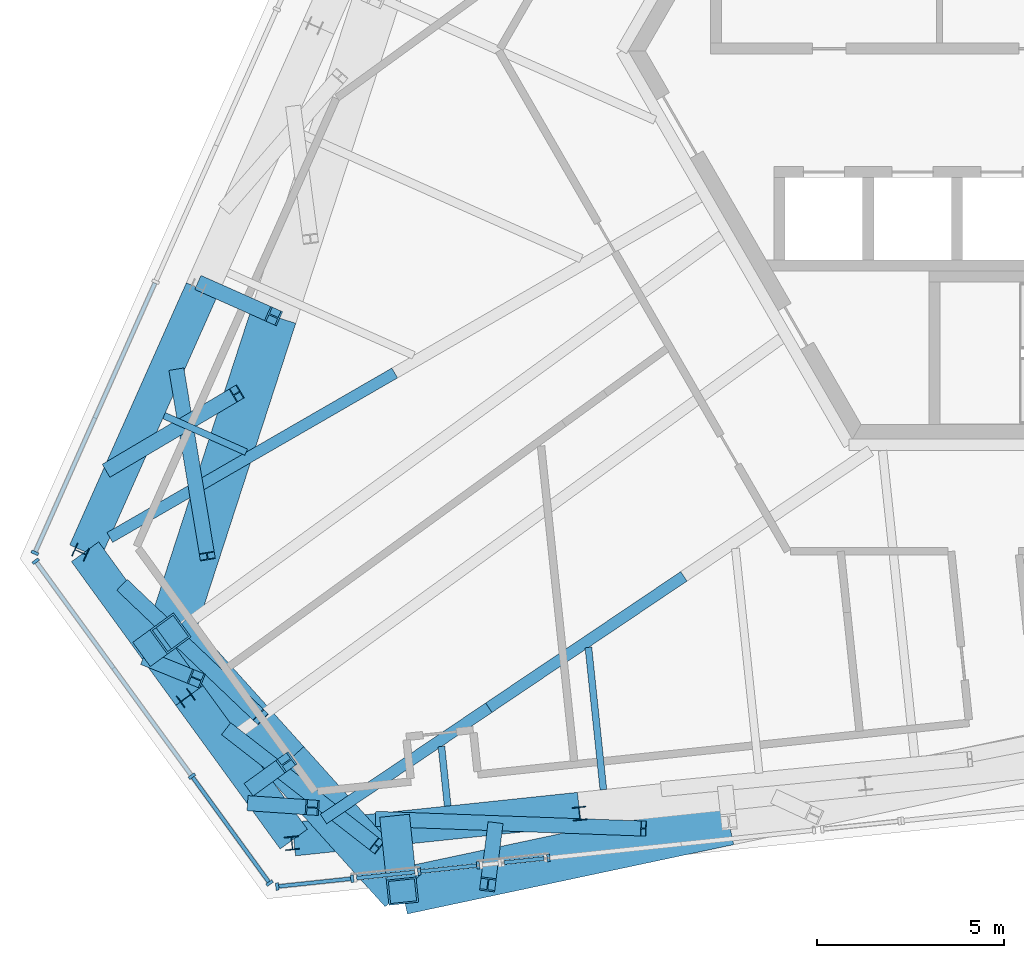
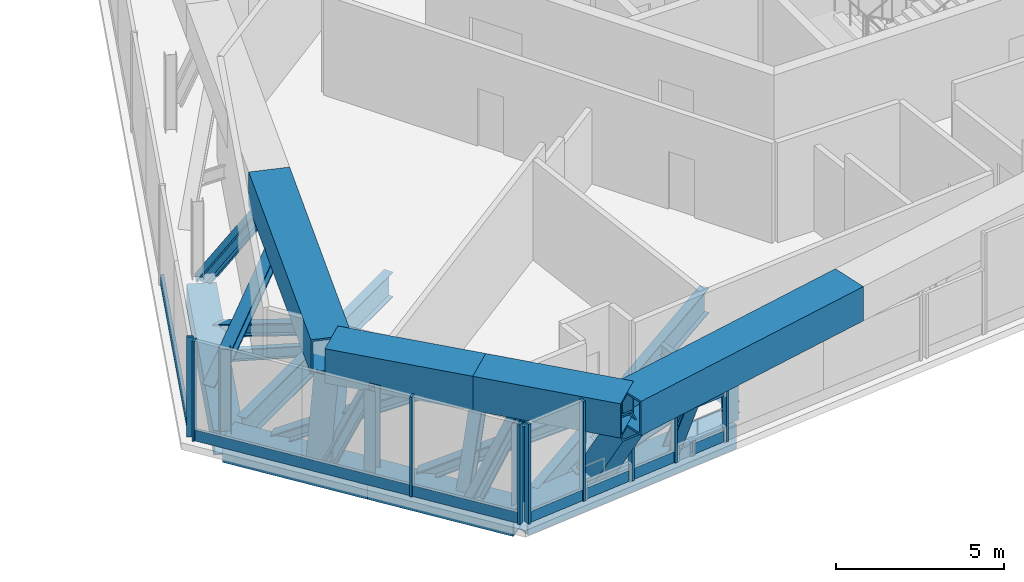
# One storey, part 1 of 23: 41 members, 6 beams, 8 elements without a shape of their own.
"""IFC4 building model written with IfcOpenShell, lengths in metres."""

from ifc_helpers import new_model, si_unit, direction, frame, origin, origin_2d, place, context, subcontext, project, spatial, rectangle, hollow_rectangle, i_section, extrude, source, transform, mapped, material, material_profile, profile_set, type_object, element, aggregate, save


model = new_model("IFC4")

# Units and contexts
model_context = context("Model", 3, precision=1e-05, world=origin(), true_north=direction((0.0, 1.0)))
body_context = subcontext(model_context, "Body", "Model", "MODEL_VIEW")
ifc_project = project(units=[si_unit("LENGTHUNIT", "METRE"), si_unit("AREAUNIT", "SQUARE_METRE"), si_unit("VOLUMEUNIT", "CUBIC_METRE"), si_unit("PLANEANGLEUNIT", "RADIAN"), si_unit("MASSUNIT", "GRAM", prefix="KILO")], contexts=[model_context])

# Site, building, storey
site_placement = place(None, origin())
site = spatial("IfcSite", under=ifc_project, at=site_placement, CompositionType="ELEMENT")
building_placement = place(site_placement, origin())
building = spatial("IfcBuilding", under=site, at=building_placement, Name="Triune Harvest Tower", CompositionType="ELEMENT")
storey_placement = place(building_placement, frame((0.0, 0.0, 255.699951171875)))
storey = spatial("IfcBuildingStorey", under=building, at=storey_placement, Name="L67", CompositionType="ELEMENT", Elevation=255.699951171875)

# Beams
ifc_material_1 = material(Name="Steel ASTM A992 Gr 50", Category="steel")
ifc_material_profile_1 = material_profile(ifc_material_1, i_section(OverallWidth=0.3046875, OverallDepth=0.914306640625, WebThickness=0.0166015625, FlangeThickness=0.02587890625, at=origin_2d()), Name="W36x160")
ifc_profile_set_1 = profile_set([ifc_material_profile_1], Name="Steel ASTM A992 Gr 50")
beam_type_1 = type_object("IfcBeamType", Name="HG-3 Hip girder W36x160", PredefinedType="BEAM", material=ifc_profile_set_1)
beam_1_placement = place(storey_placement, frame((-25.87109375, -13.02197265625, -0.70703125), z_axis=(0.86602254736, 0.50000494744, 0.0), x_axis=(-0.50000494744, 0.86602254736, 0.0)))
element("IfcBeam", 1, at=beam_1_placement, inside=storey, type_object=beam_type_1, Name="beam/L67/HG5", PredefinedType="BEAM", context=body_context, shape_type="SweptSolid", body=[
    extrude(i_section(OverallWidth=0.3046875, OverallDepth=0.914306640625, WebThickness=0.0166015625, FlangeThickness=0.02587890625, at=origin_2d()), origin(), (0.0, 0.0, 1.0), 8.802734375),
])
beam_2_placement = place(storey_placement, frame((-20.15234375, -20.55712890625, -0.70703125), z_axis=(0.829386291696, 0.558675558036, 0.0), x_axis=(-0.558675558036, 0.829386291696, 0.0)))
element("IfcBeam", 2, at=beam_2_placement, inside=storey, type_object=beam_type_1, Name="beam/L67/HG7", PredefinedType="BEAM", context=body_context, shape_type="SweptSolid", body=[
    extrude(i_section(OverallWidth=0.3046875, OverallDepth=0.914306640625, WebThickness=0.0166015625, FlangeThickness=0.02587890625, at=origin_2d()), origin(), (0.0, 0.0, 1.0), 5.33447265625),
])
ifc_material_2 = material(Name="Steel ASTM A992 Gr 50", Category="steel")
ifc_material_profile_2 = material_profile(ifc_material_2, i_section(OverallWidth=0.180908203125, OverallDepth=0.41650390625, WebThickness=0.010986328125, FlangeThickness=0.01806640625, at=origin_2d()), Name="W16x57")
ifc_profile_set_2 = profile_set([ifc_material_profile_2], Name="Steel ASTM A992 Gr 50")
beam_type_2 = type_object("IfcBeamType", Name="JT-1 Floor joist W16x57", PredefinedType="JOIST", material=ifc_profile_set_2)
beam_3_placement = place(storey_placement, frame((-24.41943359375, -9.76123046875, -0.458251953125), z_axis=(0.913568577224, -0.406684711674, 0.0), x_axis=(0.406684711674, 0.913568577224, 0.0)))
element("IfcBeam", 3, at=beam_3_placement, inside=storey, type_object=beam_type_2, Name="beam/L67/JT22", PredefinedType="JOIST", context=body_context, shape_type="SweptSolid", body=[
    extrude(i_section(OverallWidth=0.180908203125, OverallDepth=0.41650390625, WebThickness=0.010986328125, FlangeThickness=0.01806640625, at=origin_2d()), origin(), (0.0, 0.0, 1.0), 2.40478515625),
])
beam_4_placement = place(storey_placement, frame((-16.829345703125, -20.207763671875, -0.458251953125), z_axis=(-0.104589546941, 0.994515473319, 0.0), x_axis=(-0.994515473319, -0.104589546941, 0.0)))
element("IfcBeam", 4, at=beam_4_placement, inside=storey, type_object=beam_type_2, Name="beam/L67/JT25", PredefinedType="JOIST", context=body_context, shape_type="SweptSolid", body=[
    extrude(i_section(OverallWidth=0.180908203125, OverallDepth=0.41650390625, WebThickness=0.010986328125, FlangeThickness=0.01806640625, at=origin_2d()), origin(), (0.0, 0.0, 1.0), 1.601318359375),
])

# Members
ifc_material_3 = material(Name="Steel ASTM A992 Gr 50", Category="steel")
ifc_material_profile_3 = material_profile(ifc_material_3, i_section(OverallWidth=0.40380859375, OverallDepth=0.406494140625, WebThickness=0.027099609375, FlangeThickness=0.043701171875, at=origin_2d()), Name="W14x233")
ifc_profile_set_3 = profile_set([ifc_material_profile_3], Name="Steel ASTM A992 Gr 50")
member_type_1 = type_object("IfcMemberType", Name="TD-3 Belt truss diagonal W14x233", PredefinedType="BRACE", material=ifc_profile_set_3)
member_1_placement = place(storey_placement, frame((-24.07373046875, -8.615966796875, -0.324951171875), z_axis=(0.142755149801, -0.863320577817, 0.484043951644), x_axis=(0.986602830653, 0.163140597483, 0.0)))
element("IfcMember", 5, at=member_1_placement, inside=storey, type_object=member_type_1, Name="truss/L67/TD23", PredefinedType="BRACE", context=body_context, shape_type="SweptSolid", body=[
    extrude(i_section(OverallWidth=0.40380859375, OverallDepth=0.406494140625, WebThickness=0.027099609375, FlangeThickness=0.043701171875, at=origin_2d()), origin(), (0.0, 0.0, 1.0), 5.681396484375),
])
member_2_placement = place(storey_placement, frame((-25.473388671875, -14.3544921875, -0.324951171875), z_axis=(0.634971008169, -0.605634521572, 0.479602590761), x_axis=(0.690192948366, 0.723625382381, 0.0)))
element("IfcMember", 6, at=member_2_placement, inside=storey, type_object=member_type_1, Name="truss/L67/TD25", PredefinedType="BRACE", context=body_context, shape_type="SweptSolid", body=[
    extrude(i_section(OverallWidth=0.40380859375, OverallDepth=0.406494140625, WebThickness=0.027099609375, FlangeThickness=0.043701171875, at=origin_2d()), origin(), (0.0, 0.0, 1.0), 5.73388671875),
])
member_3_placement = place(storey_placement, frame((-22.680419921875, -18.19873046875, -0.324951171875), z_axis=(0.69172611158, -0.538426958501, 0.48126021747), x_axis=(0.614237516902, 0.789121202877, 0.0)))
element("IfcMember", 7, at=member_3_placement, inside=storey, type_object=member_type_1, Name="truss/L67/TD27", PredefinedType="BRACE", context=body_context, shape_type="SweptSolid", body=[
    extrude(i_section(OverallWidth=0.40380859375, OverallDepth=0.406494140625, WebThickness=0.027099609375, FlangeThickness=0.043701171875, at=origin_2d()), origin(), (0.0, 0.0, 1.0), 5.714111328125),
])
member_4_placement = place(storey_placement, frame((-18.688232421875, -20.553955078125, -0.324951171875), z_axis=(0.931918812377, -0.033692695969, 0.361098503702), x_axis=(0.036130505031, 0.999347080151, 0.0)))
element("IfcMember", 8, at=member_4_placement, inside=storey, type_object=member_type_1, Name="truss/L67/TD29", PredefinedType="BRACE", context=body_context, shape_type="SweptSolid", body=[
    extrude(i_section(OverallWidth=0.40380859375, OverallDepth=0.406494140625, WebThickness=0.027099609375, FlangeThickness=0.043701171875, at=origin_2d()), origin(), (0.0, 0.0, 1.0), 7.61572265625),
])

# Curtain wall, member
ifc_material_4 = material(Name="Aluminium bronze anodised", Category="aluminium")
curtain_wall_type = type_object("IfcCurtainWallType", Name="CW-5 Plant louvre wall", PredefinedType="NOTDEFINED", material=ifc_material_4)
curtain_wall_1_placement = place(storey_placement, origin())
curtain_wall_1 = element("IfcCurtainWall", 9, at=curtain_wall_1_placement, inside=storey, type_object=curtain_wall_type, Name="CW-5 B6-F5 L67 run 201")
ifc_material_5 = material(Name="Aluminium bronze anodised", Category="aluminium")
ifc_material_profile_4 = material_profile(ifc_material_5, rectangle(XDim=0.10009765625, YDim=0.39990234375, at=origin_2d()), Name="TR-5 transom 100 x 400")
ifc_profile_set_4 = profile_set([ifc_material_profile_4], Name="Aluminium bronze anodised")
member_type_2 = type_object("IfcMemberType", Name="TR-5 transom 100 x 400", PredefinedType="USERDEFINED", material=ifc_profile_set_4)
member_5_placement = place(storey_placement, frame((-17.551513671875, -21.95849609375, 0.199951171875), z_axis=(0.994514349203, 0.104600235324, 0.0), x_axis=(-0.104600235324, 0.994514349203, 0.0)))
member_5 = element("IfcMember", 10, at=member_5_placement, type_object=member_type_2, Name="CW-5 transom B6-F5 201.1", ObjectType="TRANSOM", PredefinedType="USERDEFINED", context=body_context, shape_type="SweptSolid", body=[
    extrude(rectangle(XDim=0.10009765625, YDim=0.39990234375, at=origin_2d()), origin(), (0.0, 0.0, 1.0), 1.503173828125),
])

# Member
ifc_material_6 = material(Name="Steel ASTM A992 Gr 50", Category="steel")
ifc_material_profile_5 = material_profile(ifc_material_6, i_section(OverallWidth=0.411376953125, OverallDepth=0.434326171875, WebThickness=0.035888671875, FlangeThickness=0.057373046875, at=origin_2d()), Name="W14x311")
ifc_profile_set_5 = profile_set([ifc_material_profile_5], Name="Steel ASTM A992 Gr 50")
member_type_3 = type_object("IfcMemberType", Name="TV-1 Belt truss strut W14x311", PredefinedType="STRUT", material=ifc_profile_set_5)
member_6_placement = place(storey_placement, frame((-21.9931640625, -19.655029296875, -0.27490234375), z_axis=(0.293202399545, 0.212969952185, 0.932027978318), x_axis=(-0.587687609145, 0.809087927272, 0.0)))
element("IfcMember", 11, at=member_6_placement, inside=storey, type_object=member_type_3, Name="truss/L67/TS14", PredefinedType="STRUT", context=body_context, shape_type="SweptSolid", body=[
    extrude(i_section(OverallWidth=0.411376953125, OverallDepth=0.434326171875, WebThickness=0.035888671875, FlangeThickness=0.057373046875, at=origin_2d()), origin(), (0.0, 0.0, 1.0), 2.89697265625),
])

# Beams
shared_shape_1 = source(origin(), body_context, "Body", "SweptSolid", [
    extrude(i_section(OverallWidth=0.3046875, OverallDepth=0.914306640625, WebThickness=0.0166015625, FlangeThickness=0.02587890625, at=origin_2d()), origin(), (0.0, 0.0, 1.0), 6.293701171875),
])
beam_5_placement = place(storey_placement, frame((-15.72802734375, -17.576904296875, -0.70703125), z_axis=(0.829391075311, 0.558668456416, 0.0), x_axis=(-0.558668456416, 0.829391075311, 0.0)))
element("IfcBeam", 12, at=beam_5_placement, inside=storey, type_object=beam_type_1, Name="beam/L67/HG8", PredefinedType="BEAM", context=body_context, shape_type="MappedRepresentation", body=[
    mapped(shared_shape_1, transform((0.0, 0.0, 0.0), scale=1.0)),
])
shared_shape_2 = source(origin(), body_context, "Body", "SweptSolid", [
    extrude(i_section(OverallWidth=0.180908203125, OverallDepth=0.41650390625, WebThickness=0.010986328125, FlangeThickness=0.01806640625, at=origin_2d()), origin(), (0.0, 0.0, 1.0), 3.8251953125),
])
beam_6_placement = place(storey_placement, frame((-12.66357421875, -19.77001953125, -0.458251953125), z_axis=(-0.104545242946, 0.99452013161, 0.0), x_axis=(-0.99452013161, -0.104545242946, 0.0)))
element("IfcBeam", 13, at=beam_6_placement, inside=storey, type_object=beam_type_2, Name="beam/L67/JT26", PredefinedType="JOIST", context=body_context, shape_type="MappedRepresentation", body=[
    mapped(shared_shape_2, transform((0.0, 0.0, 0.0), scale=1.0)),
])

# Members
ifc_material_7 = material(Name="Steel ASTM A992 Gr 50", Category="steel")
ifc_material_profile_6 = material_profile(ifc_material_7, i_section(OverallWidth=0.368408203125, OverallDepth=0.355712890625, WebThickness=0.01123046875, FlangeThickness=0.01806640625, at=origin_2d()), Name="W14x90")
ifc_profile_set_6 = profile_set([ifc_material_profile_6], Name="Steel ASTM A992 Gr 50")
member_type_4 = type_object("IfcMemberType", Name="WP-6 Roof edge post W14x90", PredefinedType="POST", material=ifc_profile_set_6)
shared_shape_3 = source(origin(), body_context, "Body", "SweptSolid", [
    extrude(i_section(OverallWidth=0.368408203125, OverallDepth=0.355712890625, WebThickness=0.01123046875, FlangeThickness=0.01806640625, at=origin_2d()), origin(), (0.0, 0.0, 1.0), 2.9755859375),
])
for number, where, z_axis, x_axis, name in (
    (14, (-26.653564453125, -13.417236328125, -0.25), (0.0, 0.0, 1.0), (-0.406738237513, -0.913544747752, 0.0), "post/L67/W14"),
    (15, (-23.83837890625, -17.319580078125, -0.25), (0.0, 0.0, 1.0), (0.587785252292, -0.809016994375, 0.0), "post/L67/W15"),
    (16, (-20.9970703125, -21.202880859375, -0.25), (0.0, 0.0, 1.0), (0.99452171293, 0.104530199036, 0.0), "post/L67/W16"),
    (17, (-13.29833984375, -20.409912109375, -0.25), (0.0, 0.0, 1.0), (0.99452171293, 0.104530199036, 0.0), "post/L67/W17"),
):
    element("IfcMember", number, at=place(storey_placement, frame(where, z_axis=z_axis, x_axis=x_axis)), inside=storey, type_object=member_type_4, Name=name, PredefinedType="POST", context=body_context, shape_type="MappedRepresentation", body=[
        mapped(shared_shape_3, transform((0.0, 0.0, 0.0), scale=1.0)),
    ])
ifc_material_8 = material(Name="Steel ASTM A572 Gr 50", Category="steel")
ifc_material_profile_7 = material_profile(ifc_material_8, hollow_rectangle(XDim=0.89990234375, YDim=0.89990234375, WallThickness=0.050048828125, at=origin_2d()), Name="Box 900x900x50")
ifc_profile_set_7 = profile_set([ifc_material_profile_7], Name="Steel ASTM A572 Gr 50")
member_type_5 = type_object("IfcMemberType", Name="TC-2 Belt truss chord Box 900x900x50", PredefinedType="CHORD", material=ifc_profile_set_7)
shared_shape_4 = source(origin(), body_context, "Body", "SweptSolid", [
    extrude(hollow_rectangle(XDim=0.89990234375, YDim=0.89990234375, WallThickness=0.050048828125, at=origin_2d()), origin(), (0.0, 0.0, 1.0), 7.679443359375),
])
for number, where, z_axis, x_axis, name in (
    (18, (-23.41064453125, -6.389404296875, -0.699951171875), (-0.406746028315, -0.913541279007, 0.0), (0.913541279007, -0.406746028315, 0.0), "truss/L67/TCB14"),
    (19, (-20.9482421875, -21.09326171875, -0.699951171875), (0.994521815363, 0.104529224464, 0.0), (-0.104529224464, 0.994521815363, 0.0), "truss/L67/TCB17"),
):
    element("IfcMember", number, at=place(storey_placement, frame(where, z_axis=z_axis, x_axis=x_axis)), inside=storey, type_object=member_type_5, Name=name, PredefinedType="CHORD", context=body_context, shape_type="MappedRepresentation", body=[
        mapped(shared_shape_4, transform((0.0, 0.0, 0.0), scale=1.0)),
    ])
shared_shape_5 = source(origin(), body_context, "Body", "SweptSolid", [
    extrude(hollow_rectangle(XDim=0.89990234375, YDim=0.89990234375, WallThickness=0.050048828125, at=origin_2d()), origin(), (0.0, 0.0, 1.0), 4.751708984375),
])
for number, where, z_axis, x_axis, name in (
    (20, (-26.5341796875, -13.40478515625, -0.699951171875), (0.587780589859, -0.809020381811, 0.0), (0.809020381811, 0.587780589859, 0.0), "truss/L67/TCB15"),
    (21, (-23.7412109375, -17.2490234375, -0.699951171875), (0.587780589859, -0.809020381811, 0.0), (0.809020381811, 0.587780589859, 0.0), "truss/L67/TCB16"),
):
    element("IfcMember", number, at=place(storey_placement, frame(where, z_axis=z_axis, x_axis=x_axis)), inside=storey, type_object=member_type_5, Name=name, PredefinedType="CHORD", context=body_context, shape_type="MappedRepresentation", body=[
        mapped(shared_shape_5, transform((0.0, 0.0, 0.0), scale=1.0)),
    ])
ifc_material_9 = material(Name="Steel ASTM A572 Gr 50", Category="steel")
ifc_material_profile_8 = material_profile(ifc_material_9, hollow_rectangle(XDim=1.25, YDim=1.25, WallThickness=0.070068359375, at=origin_2d()), Name="Box 1250x1250x70")
ifc_profile_set_8 = profile_set([ifc_material_profile_8], Name="Steel ASTM A572 Gr 50")
member_type_6 = type_object("IfcMemberType", Name="TC-1 Belt truss chord Box 1250x1250x70", PredefinedType="CHORD", material=ifc_profile_set_8)
shared_shape_6 = source(origin(), body_context, "Body", "SweptSolid", [
    extrude(hollow_rectangle(XDim=1.25, YDim=1.25, WallThickness=0.070068359375, at=origin_2d()), origin(), (0.0, 0.0, 1.0), 8.927978515625),
])
for number, where, z_axis, x_axis, name in (
    (22, (-21.48974609375, -7.098876953125, 3.01513671875), (-0.309007542926, -0.951059587205, 0.0), (0.951059587205, -0.309007542926, 0.0), "truss/L67/TCT12"),
    (23, (-18.0390625, -22.486083984375, 3.01513671875), (0.978148424958, 0.20790781311, 0.0), (-0.20790781311, 0.978148424958, 0.0), "truss/L67/TCT15"),
):
    element("IfcMember", number, at=place(storey_placement, frame(where, z_axis=z_axis, x_axis=x_axis)), inside=storey, type_object=member_type_6, Name=name, PredefinedType="CHORD", context=body_context, shape_type="MappedRepresentation", body=[
        mapped(shared_shape_6, transform((0.0, 0.0, 0.0), scale=1.0)),
    ])
shared_shape_7 = source(origin(), body_context, "Body", "SweptSolid", [
    extrude(hollow_rectangle(XDim=1.25, YDim=1.25, WallThickness=0.070068359375, at=origin_2d()), origin(), (0.0, 0.0, 1.0), 4.64013671875),
])
member_7_placement = place(storey_placement, frame((-24.24853515625, -15.58984375, 3.01513671875), z_axis=(0.669121693559, -0.743152850502, 0.0), x_axis=(0.743152850502, 0.669121693559, 0.0)))
element("IfcMember", 24, at=member_7_placement, inside=storey, type_object=member_type_6, Name="truss/L67/TCT13", PredefinedType="CHORD", context=body_context, shape_type="MappedRepresentation", body=[
    mapped(shared_shape_7, transform((0.0, 0.0, 0.0), scale=1.0)),
])
shared_shape_8 = source(origin(), body_context, "Body", "SweptSolid", [
    extrude(hollow_rectangle(XDim=1.25, YDim=1.25, WallThickness=0.070068359375, at=origin_2d()), origin(), (0.0, 0.0, 1.0), 4.639892578125),
])
member_8_placement = place(storey_placement, frame((-21.143798828125, -19.0380859375, 3.01513671875), z_axis=(0.669147858141, -0.743129291541, 0.0), x_axis=(0.743129291541, 0.669147858141, 0.0)))
element("IfcMember", 25, at=member_8_placement, inside=storey, type_object=member_type_6, Name="truss/L67/TCT14", PredefinedType="CHORD", context=body_context, shape_type="MappedRepresentation", body=[
    mapped(shared_shape_8, transform((0.0, 0.0, 0.0), scale=1.0)),
])
ifc_material_10 = material(Name="Steel ASTM A572 Gr 50", Category="steel")
ifc_material_profile_9 = material_profile(ifc_material_10, hollow_rectangle(XDim=0.800048828125, YDim=0.800048828125, WallThickness=0.050048828125, at=origin_2d()), Name="Box 800x800x50")
ifc_profile_set_9 = profile_set([ifc_material_profile_9], Name="Steel ASTM A572 Gr 50")
member_type_7 = type_object("IfcMemberType", Name="TS-2 Belt truss raked strut Box 800x800x50", PredefinedType="STRUT", material=ifc_profile_set_9)
shared_shape_9 = source(origin(), body_context, "Body", "SweptSolid", [
    extrude(hollow_rectangle(XDim=0.800048828125, YDim=0.800048828125, WallThickness=0.050048828125, at=origin_2d()), origin(), (0.0, 0.0, 1.0), 3.18505859375),
])
member_9_placement = place(storey_placement, frame((-18.2158203125, -20.805908203125, -0.27490234375), z_axis=(0.055497655088, -0.527534340216, 0.84771901605), x_axis=(0.994511785747, 0.104624605185, 0.0)))
element("IfcMember", 26, at=member_9_placement, inside=storey, type_object=member_type_7, Name="truss/L67/TS15", PredefinedType="STRUT", context=body_context, shape_type="MappedRepresentation", body=[
    mapped(shared_shape_9, transform((0.0, 0.0, 0.0), scale=1.0)),
])
shared_shape_10 = source(origin(), body_context, "Body", "SweptSolid", [
    extrude(hollow_rectangle(XDim=0.800048828125, YDim=0.800048828125, WallThickness=0.050048828125, at=origin_2d()), origin(), (0.0, 0.0, 1.0), 2.75830078125),
])
member_10_placement = place(storey_placement, frame((-24.70556640625, -15.921875, -0.27490234375), z_axis=(0.16568612404, 0.120370261054, 0.978804938971), x_axis=(-0.587760469668, 0.809034999426, 0.0)))
element("IfcMember", 27, at=member_10_placement, inside=storey, type_object=member_type_7, Name="truss/L67/TS13", PredefinedType="STRUT", context=body_context, shape_type="MappedRepresentation", body=[
    mapped(shared_shape_10, transform((0.0, 0.0, 0.0), scale=1.0)),
])
shared_shape_11 = source(origin(), body_context, "Body", "SweptSolid", [
    extrude(i_section(OverallWidth=0.411376953125, OverallDepth=0.434326171875, WebThickness=0.035888671875, FlangeThickness=0.057373046875, at=origin_2d()), origin(), (0.0, 0.0, 1.0), 3.385986328125),
])
member_11_placement = place(storey_placement, frame((-23.3564453125, -6.267578125, -0.27490234375), z_axis=(0.551290485238, -0.245506683525, 0.797373983292), x_axis=(0.406814562359, 0.913510761761, 0.0)))
element("IfcMember", 28, at=member_11_placement, inside=storey, type_object=member_type_3, Name="truss/L67/TS12", PredefinedType="STRUT", context=body_context, shape_type="MappedRepresentation", body=[
    mapped(shared_shape_11, transform((0.0, 0.0, 0.0), scale=1.0)),
])
shared_shape_12 = source(origin(), body_context, "Body", "SweptSolid", [
    extrude(i_section(OverallWidth=0.40380859375, OverallDepth=0.406494140625, WebThickness=0.027099609375, FlangeThickness=0.043701171875, at=origin_2d()), origin(), (0.0, 0.0, 1.0), 3.12646484375),
])
member_12_placement = place(storey_placement, frame((-15.57080078125, -20.82958984375, -0.324951171875), z_axis=(-0.058643996199, -0.472119308946, 0.879581855105), x_axis=(0.992373536907, -0.123267040393, 0.0)))
element("IfcMember", 29, at=member_12_placement, inside=storey, type_object=member_type_1, Name="truss/L67/TD30", PredefinedType="BRACE", context=body_context, shape_type="MappedRepresentation", body=[
    mapped(shared_shape_12, transform((0.0, 0.0, 0.0), scale=1.0)),
])
shared_shape_13 = source(origin(), body_context, "Body", "SweptSolid", [
    extrude(i_section(OverallWidth=0.40380859375, OverallDepth=0.406494140625, WebThickness=0.027099609375, FlangeThickness=0.043701171875, at=origin_2d()), origin(), (0.0, 0.0, 1.0), 3.058837890625),
])
member_13_placement = place(storey_placement, frame((-24.802001953125, -16.29931640625, -0.324951171875), z_axis=(0.406092151334, -0.163857544554, 0.899021618048), x_axis=(0.374185784585, 0.927353761309, 0.0)))
element("IfcMember", 30, at=member_13_placement, inside=storey, type_object=member_type_1, Name="truss/L67/TD26", PredefinedType="BRACE", context=body_context, shape_type="MappedRepresentation", body=[
    mapped(shared_shape_13, transform((0.0, 0.0, 0.0), scale=1.0)),
])
shared_shape_14 = source(origin(), body_context, "Body", "SweptSolid", [
    extrude(i_section(OverallWidth=0.40380859375, OverallDepth=0.406494140625, WebThickness=0.027099609375, FlangeThickness=0.043701171875, at=origin_2d()), origin(), (0.0, 0.0, 1.0), 3.160400390625),
])
member_14_placement = place(storey_placement, frame((-22.009033203125, -20.143310546875, -0.324951171875), z_axis=(0.491689004184, -0.033371508218, 0.870131177239), x_axis=(0.067715384348, 0.997704679112, 0.0)))
element("IfcMember", 31, at=member_14_placement, inside=storey, type_object=member_type_1, Name="truss/L67/TD28", PredefinedType="BRACE", context=body_context, shape_type="MappedRepresentation", body=[
    mapped(shared_shape_14, transform((0.0, 0.0, 0.0), scale=1.0)),
])
shared_shape_15 = source(origin(), body_context, "Body", "SweptSolid", [
    extrude(i_section(OverallWidth=0.40380859375, OverallDepth=0.406494140625, WebThickness=0.027099609375, FlangeThickness=0.043701171875, at=origin_2d()), origin(), (0.0, 0.0, 1.0), 4.8095703125),
])
member_15_placement = place(storey_placement, frame((-25.87109375, -11.177978515625, -0.324951171875), z_axis=(0.705972642923, 0.417959357336, 0.571762715695), x_axis=(-0.509446195516, 0.860502512416, 0.0)))
element("IfcMember", 32, at=member_15_placement, inside=storey, type_object=member_type_1, Name="truss/L67/TD24", PredefinedType="BRACE", context=body_context, shape_type="MappedRepresentation", body=[
    mapped(shared_shape_15, transform((0.0, 0.0, 0.0), scale=1.0)),
])

# Curtain wall, member
curtain_wall_2_placement = place(storey_placement, origin())
curtain_wall_2 = element("IfcCurtainWall", 33, at=curtain_wall_2_placement, inside=storey, type_object=curtain_wall_type, Name="CW-5 B6-F3 L67 run 801")
ifc_material_11 = material(Name="Aluminium bronze anodised", Category="aluminium")
ifc_material_profile_10 = material_profile(ifc_material_11, rectangle(XDim=0.199951171875, YDim=0.080078125, at=origin_2d()), Name="MU-5 mullion 80 x 200")
ifc_profile_set_10 = profile_set([ifc_material_profile_10], Name="Aluminium bronze anodised")
member_type_8 = type_object("IfcMemberType", Name="MU-5 mullion 80 x 200", PredefinedType="MULLION", material=ifc_profile_set_10)
shared_shape_16 = source(origin(), body_context, "Body", "SweptSolid", [
    extrude(rectangle(XDim=0.199951171875, YDim=0.080078125, at=origin_2d()), origin(), (0.0, 0.0, 1.0), 3.64013671875),
])
member_16_placement = place(storey_placement, frame((-27.877197265625, -13.432861328125, 0.0), z_axis=(0.0, 0.0, 1.0), x_axis=(0.913545020627, -0.406737624627, 0.0)))
member_16 = element("IfcMember", 34, at=member_16_placement, type_object=member_type_8, Name="CW-5 mullion B6-F3 801.9", PredefinedType="MULLION", context=body_context, shape_type="MappedRepresentation", body=[
    mapped(shared_shape_16, transform((0.0, 0.0, 0.0), scale=1.0)),
])

# Curtain wall, members
curtain_wall_3_placement = place(storey_placement, origin())
curtain_wall_3 = element("IfcCurtainWall", 35, at=curtain_wall_3_placement, inside=storey, type_object=curtain_wall_type, Name="CW-5 B6-F4 L67 run 1")
member_17_placement = place(storey_placement, frame((-27.853759765625, -13.65673828125, 0.0), z_axis=(0.0, 0.0, 1.0), x_axis=(0.809014317982, 0.587788936013, 0.0)))
member_17 = element("IfcMember", 36, at=member_17_placement, type_object=member_type_8, Name="CW-5 mullion B6-F4 1.1", PredefinedType="MULLION", context=body_context, shape_type="MappedRepresentation", body=[
    mapped(shared_shape_16, transform((0.0, 0.0, 0.0), scale=1.0)),
])
member_18_placement = place(storey_placement, frame((-23.673828125, -19.409912109375, 0.0), z_axis=(0.0, 0.0, 1.0), x_axis=(0.809014317982, 0.587788936013, 0.0)))
member_18 = element("IfcMember", 37, at=member_18_placement, type_object=member_type_8, Name="CW-5 mullion B6-F4 1.3", PredefinedType="MULLION", context=body_context, shape_type="MappedRepresentation", body=[
    mapped(shared_shape_16, transform((0.0, 0.0, 0.0), scale=1.0)),
])
member_19_placement = place(storey_placement, frame((-21.595458984375, -22.270263671875, 0.0), z_axis=(0.0, 0.0, 1.0), x_axis=(0.809014317982, 0.587788936013, 0.0)))
member_19 = element("IfcMember", 38, at=member_19_placement, type_object=member_type_8, Name="CW-5 mullion B6-F4 1.4", PredefinedType="MULLION", context=body_context, shape_type="MappedRepresentation", body=[
    mapped(shared_shape_16, transform((0.0, 0.0, 0.0), scale=1.0)),
])

curtain_wall_4_placement = place(storey_placement, origin())
curtain_wall_4 = element("IfcCurtainWall", 39, at=curtain_wall_4_placement, inside=storey, type_object=curtain_wall_type, Name="CW-5 B6-F5 L67 run 1")
member_20_placement = place(storey_placement, frame((-21.389892578125, -22.36181640625, 0.0), z_axis=(0.0, 0.0, 1.0), x_axis=(-0.104553130445, 0.994519302434, 0.0)))
member_20 = element("IfcMember", 40, at=member_20_placement, type_object=member_type_8, Name="CW-5 mullion B6-F5 1.1", PredefinedType="MULLION", context=body_context, shape_type="MappedRepresentation", body=[
    mapped(shared_shape_16, transform((0.0, 0.0, 0.0), scale=1.0)),
])
member_21_placement = place(storey_placement, frame((-19.38525390625, -22.151123046875, 0.0), z_axis=(0.0, 0.0, 1.0), x_axis=(-0.104553130445, 0.994519302434, 0.0)))
member_21 = element("IfcMember", 41, at=member_21_placement, type_object=member_type_8, Name="CW-5 mullion B6-F5 1.2", PredefinedType="MULLION", context=body_context, shape_type="MappedRepresentation", body=[
    mapped(shared_shape_16, transform((0.0, 0.0, 0.0), scale=1.0)),
])

# Member
shared_shape_17 = source(origin(), body_context, "Body", "SweptSolid", [
    extrude(rectangle(XDim=0.199951171875, YDim=0.080078125, at=origin_2d()), origin(), (0.0, 0.0, 1.0), 2.330078125),
])
member_22_placement = place(storey_placement, frame((-17.59130859375, -21.962646484375, 0.0), z_axis=(0.0, 0.0, 1.0), x_axis=(-0.104568968563, 0.994517637256, 0.0)))
member_22 = element("IfcMember", 42, at=member_22_placement, type_object=member_type_8, Name="CW-5 mullion B6-F5 201.1", PredefinedType="MULLION", context=body_context, shape_type="MappedRepresentation", body=[
    mapped(shared_shape_17, transform((0.0, 0.0, 0.0), scale=1.0)),
])

member_23_placement = place(storey_placement, frame((-16.01708984375, -21.797119140625, 0.0), z_axis=(0.0, 0.0, 1.0), x_axis=(-0.104568968563, 0.994517637256, 0.0)))
member_23 = element("IfcMember", 43, at=member_23_placement, type_object=member_type_8, Name="CW-5 mullion B6-F5 201.2", PredefinedType="MULLION", context=body_context, shape_type="MappedRepresentation", body=[
    mapped(shared_shape_17, transform((0.0, 0.0, 0.0), scale=1.0)),
])

aggregate(curtain_wall_1, [member_22, member_23, member_5])

# Curtain wall, member
curtain_wall_5_placement = place(storey_placement, origin())
curtain_wall_5 = element("IfcCurtainWall", 44, at=curtain_wall_5_placement, inside=storey, type_object=curtain_wall_type, Name="CW-5 B6-F5 L67 run 601")
member_24_placement = place(storey_placement, frame((-14.13330078125, -21.59912109375, 0.0), z_axis=(0.0, 0.0, 1.0), x_axis=(-0.104533471287, 0.994521368991, 0.0)))
member_24 = element("IfcMember", 45, at=member_24_placement, type_object=member_type_8, Name="CW-5 mullion B6-F5 601.1", PredefinedType="MULLION", context=body_context, shape_type="MappedRepresentation", body=[
    mapped(shared_shape_17, transform((0.0, 0.0, 0.0), scale=1.0)),
])
aggregate(curtain_wall_5, [member_24])

# Member
shared_shape_18 = source(origin(), body_context, "Body", "SweptSolid", [
    extrude(rectangle(XDim=0.10009765625, YDim=0.39990234375, at=origin_2d()), origin(), (0.0, 0.0, 1.0), 1.935546875),
])
member_25_placement = place(storey_placement, frame((-21.35009765625, -22.357666015625, 0.199951171875), z_axis=(0.994518576223, 0.104560038007, 0.0), x_axis=(-0.104560038007, 0.994518576223, 0.0)))
member_25 = element("IfcMember", 46, at=member_25_placement, type_object=member_type_2, Name="CW-5 transom B6-F5 1.1", ObjectType="TRANSOM", PredefinedType="USERDEFINED", context=body_context, shape_type="MappedRepresentation", body=[
    mapped(shared_shape_18, transform((0.0, 0.0, 0.0), scale=1.0)),
])

aggregate(curtain_wall_4, [member_20, member_21, member_25])

# Curtain wall, member
curtain_wall_6_placement = place(storey_placement, origin())
curtain_wall_6 = element("IfcCurtainWall", 47, at=curtain_wall_6_placement, inside=storey, type_object=curtain_wall_type, Name="CW-5 B6-F5 L67 run 101")
shared_shape_19 = source(origin(), body_context, "Body", "SweptSolid", [
    extrude(rectangle(XDim=0.10009765625, YDim=0.39990234375, at=origin_2d()), origin(), (0.0, 0.0, 1.0), 1.563720703125),
])
member_26_placement = place(storey_placement, frame((-19.265869140625, -22.138427734375, 0.199951171875), z_axis=(0.994530234247, 0.104449093675, 0.0), x_axis=(-0.104449093675, 0.994530234247, 0.0)))
member_26 = element("IfcMember", 48, at=member_26_placement, type_object=member_type_2, Name="CW-5 transom B6-F5 101.1", ObjectType="TRANSOM", PredefinedType="USERDEFINED", context=body_context, shape_type="MappedRepresentation", body=[
    mapped(shared_shape_19, transform((0.0, 0.0, 0.0), scale=1.0)),
])
aggregate(curtain_wall_6, [member_26])

# Member
shared_shape_20 = source(origin(), body_context, "Body", "SweptSolid", [
    extrude(rectangle(XDim=0.10009765625, YDim=0.39990234375, at=origin_2d()), origin(), (0.0, 0.0, 1.0), 7.86181640625),
])
member_27_placement = place(storey_placement, frame((-24.663330078125, -6.214111328125, 0.199951171875), z_axis=(-0.406717530269, -0.913553966973, 0.0), x_axis=(0.913553966973, -0.406717530269, 0.0)))
member_27 = element("IfcMember", 49, at=member_27_placement, type_object=member_type_2, Name="CW-5 transom B6-F3 801.4", ObjectType="TRANSOM", PredefinedType="USERDEFINED", context=body_context, shape_type="MappedRepresentation", body=[
    mapped(shared_shape_20, transform((0.0, 0.0, 0.0), scale=1.0)),
])

aggregate(curtain_wall_2, [member_16, member_27])

shared_shape_21 = source(origin(), body_context, "Body", "SweptSolid", [
    extrude(rectangle(XDim=0.10009765625, YDim=0.39990234375, at=origin_2d()), origin(), (0.0, 0.0, 1.0), 7.03125),
])
member_28_placement = place(storey_placement, frame((-27.830078125, -13.68896484375, 0.199951171875), z_axis=(0.587775232345, -0.809024274198, 0.0), x_axis=(0.809024274198, 0.587775232345, 0.0)))
member_28 = element("IfcMember", 50, at=member_28_placement, type_object=member_type_2, Name="CW-5 transom B6-F4 1.1", ObjectType="TRANSOM", PredefinedType="USERDEFINED", context=body_context, shape_type="MappedRepresentation", body=[
    mapped(shared_shape_21, transform((0.0, 0.0, 0.0), scale=1.0)),
])

shared_shape_22 = source(origin(), body_context, "Body", "SweptSolid", [
    extrude(rectangle(XDim=0.10009765625, YDim=0.39990234375, at=origin_2d()), origin(), (0.0, 0.0, 1.0), 3.45556640625),
])
member_29_placement = place(storey_placement, frame((-23.650146484375, -19.442138671875, 0.199951171875), z_axis=(0.587755726629, -0.809038445202, 0.0), x_axis=(0.809038445202, 0.587755726629, 0.0)))
member_29 = element("IfcMember", 51, at=member_29_placement, type_object=member_type_2, Name="CW-5 transom B6-F4 1.2", ObjectType="TRANSOM", PredefinedType="USERDEFINED", context=body_context, shape_type="MappedRepresentation", body=[
    mapped(shared_shape_22, transform((0.0, 0.0, 0.0), scale=1.0)),
])

aggregate(curtain_wall_3, [member_17, member_18, member_19, member_28, member_29])

# Curtain wall, member
curtain_wall_7_placement = place(storey_placement, origin())
curtain_wall_7 = element("IfcCurtainWall", 52, at=curtain_wall_7_placement, inside=storey, type_object=curtain_wall_type, Name="CW-5 B6-F5 L67 run 401")
shared_shape_23 = source(origin(), body_context, "Body", "SweptSolid", [
    extrude(rectangle(XDim=0.10009765625, YDim=0.39990234375, at=origin_2d()), origin(), (0.0, 0.0, 1.0), 1.070068359375),
])
member_30_placement = place(storey_placement, frame((-15.316650390625, -21.723388671875, 0.199951171875), z_axis=(0.994525437353, 0.104494758043, 0.0), x_axis=(-0.104494758043, 0.994525437353, 0.0)))
member_30 = element("IfcMember", 53, at=member_30_placement, type_object=member_type_2, Name="CW-5 transom B6-F5 401.1", ObjectType="TRANSOM", PredefinedType="USERDEFINED", context=body_context, shape_type="MappedRepresentation", body=[
    mapped(shared_shape_23, transform((0.0, 0.0, 0.0), scale=1.0)),
])
aggregate(curtain_wall_7, [member_30])

curtain_wall_8_placement = place(storey_placement, origin())
curtain_wall_8 = element("IfcCurtainWall", 54, at=curtain_wall_8_placement, inside=storey, type_object=curtain_wall_type, Name="CW-5 B6-F5 L67 run 501")
member_31_placement = place(storey_placement, frame((-15.316650390625, -21.723388671875, 1.864013671875), z_axis=(0.994525437353, 0.104494758043, 0.0), x_axis=(-0.104494758043, 0.994525437353, 0.0)))
member_31 = element("IfcMember", 55, at=member_31_placement, type_object=member_type_2, Name="CW-5 transom B6-F5 501.1", ObjectType="TRANSOM", PredefinedType="USERDEFINED", context=body_context, shape_type="MappedRepresentation", body=[
    mapped(shared_shape_23, transform((0.0, 0.0, 0.0), scale=1.0)),
])
aggregate(curtain_wall_8, [member_31])

save(model, "model.ifc")
